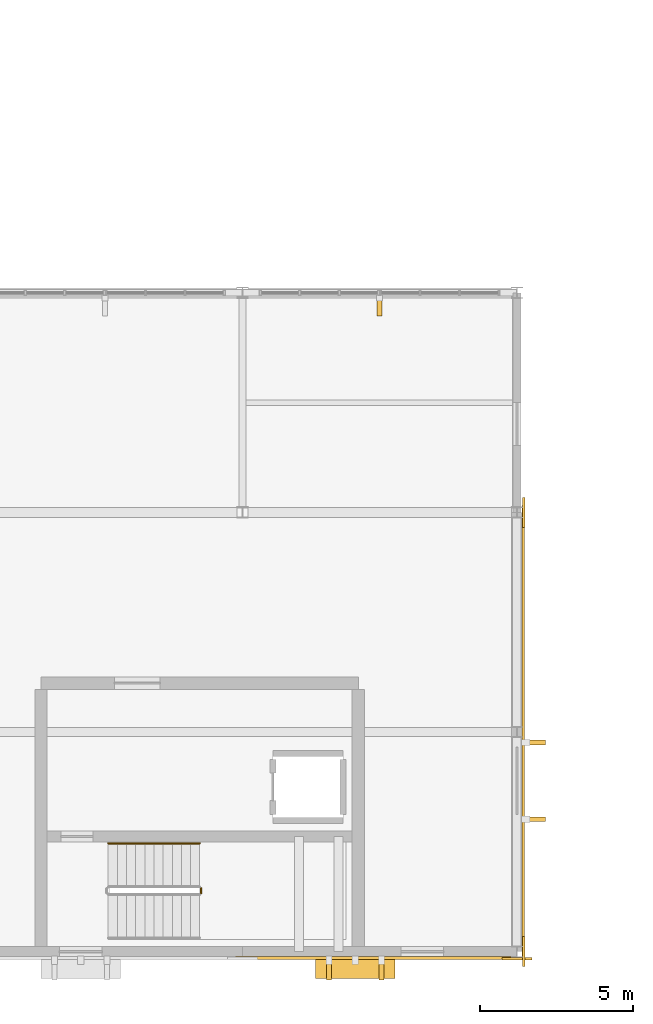
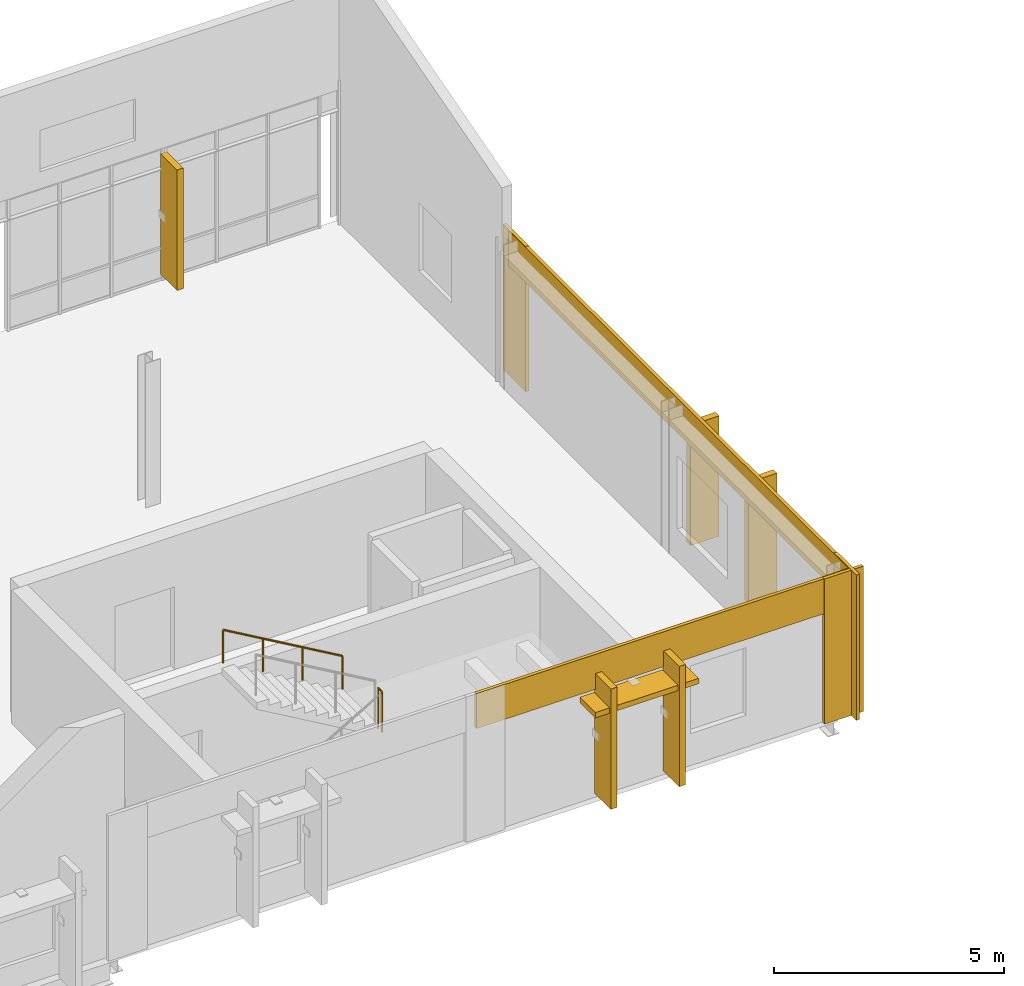
# One storey, part 77 of 85: 6 shading devices, 5 coverings, 2 railings.
"""IFC4 building model written with IfcOpenShell, lengths in metres."""

from ifc_helpers import new_model, si_unit, direction, frame, origin, origin_2d, place, context, subcontext, project, spatial, rectangle, circle, extrude, material, layer, layer_set, type_object, element, save


model = new_model("IFC4")

# Units and contexts
model_context = context("Model", 3, precision=1e-05, world=origin(), true_north=direction((0.0, 1.0)))
body_context = subcontext(model_context, "Body", "Model", "MODEL_VIEW")
ifc_project = project(units=[si_unit("LENGTHUNIT", "METRE"), si_unit("AREAUNIT", "SQUARE_METRE"), si_unit("VOLUMEUNIT", "CUBIC_METRE"), si_unit("PLANEANGLEUNIT", "RADIAN"), si_unit("MASSUNIT", "GRAM", prefix="KILO")], contexts=[model_context])

# Site, building, storey
site_placement = place(None, origin())
site = spatial("IfcSite", under=ifc_project, at=site_placement, CompositionType="ELEMENT")
building_placement = place(site_placement, origin())
building = spatial("IfcBuilding", under=site, at=building_placement, Name="Vervanel Yard Central Library", CompositionType="ELEMENT")
storey_placement = place(building_placement, frame((0.0, 0.0, 5.10009765625)))
storey = spatial("IfcBuildingStorey", under=building, at=storey_placement, Name="L01", CompositionType="ELEMENT", Elevation=5.10009765625)

# Railing
ifc_material_1 = material(Name="Brushed stainless steel AISI 316", Category="steel")
railing_type_1 = type_object("IfcRailingType", Name="Brushed Stainless Stair Handrail 900", PredefinedType="HANDRAIL", material=ifc_material_1)
railing_1_placement = place(storey_placement, frame((97.60009765625, 3.550048828125, 2.094482421875)))
element("IfcRailing", 1, at=railing_1_placement, inside=storey, type_object=railing_type_1, Name="L01 ST-06 stair handrail 2", PredefinedType="HANDRAIL", context=body_context, shape_type="SweptSolid", body=[
    extrude(circle(Radius=0.02392578125, at=origin_2d()), frame((0.0, 0.0, 0.8759765625), z_axis=(-0.864360011887, 0.0, 0.502873512775), x_axis=(0.0, -1.0, 0.0)), (0.0, 0.0, 1.0), 3.470703125),
    extrude(circle(Radius=0.02099609375, at=origin_2d()), origin(), (0.0, 0.0, 1.0), 0.851806640625),
    extrude(circle(Radius=0.02099609375, at=origin_2d()), frame((-1.0, 0.0, 0.581787109375)), (0.0, 0.0, 1.0), 0.851806640625),
    extrude(circle(Radius=0.02099609375, at=origin_2d()), frame((-2.0, 0.0, 1.16357421875)), (0.0, 0.0, 1.0), 0.851806640625),
    extrude(circle(Radius=0.02099609375, at=origin_2d()), frame((-3.0, 0.0, 1.745361328125)), (0.0, 0.0, 1.0), 0.851806640625),
])

# Coverings
ifc_material_2 = material(Name="Precast concrete C45/55", Category="concrete")
ifc_layer = layer(ifc_material_2, 0.0849609375, Category="concrete")
ifc_layer_set = layer_set([ifc_layer], Name="Precast concrete C45/55")
covering_type = type_object("IfcCoveringType", Name="Bush-Hammered Precast Architectural Cladding Panel", PredefinedType="CLADDING", material=ifc_layer_set)
covering_1_placement = place(storey_placement, frame((103.5, -0.2099609375, 2.93017578125), z_axis=(0.0, 0.0, 1.0), x_axis=(1.0, 0.0, 0.0)))
element("IfcCovering", 2, at=covering_1_placement, inside=storey, type_object=covering_type, Name="L01 Precast Concrete Spandrel Cornice EWALL-L01-0204", PredefinedType="CLADDING", context=body_context, shape_type="SweptSolid", body=[
    extrude(rectangle(XDim=9.449951171875, YDim=0.0849609375, at=origin_2d()), origin(), (0.0, 0.0, 1.0), 0.929931640625),
])
covering_2_placement = place(storey_placement, frame((108.0, -0.226806640625, 0.0), z_axis=(0.0, 0.0, 1.0), x_axis=(1.0, 0.0, 0.0)))
element("IfcCovering", 3, at=covering_2_placement, inside=storey, type_object=covering_type, Name="L01 Precast Concrete Pier Pilaster EWALL-L01-0204-B", PredefinedType="CLADDING", context=body_context, shape_type="SweptSolid", body=[
    extrude(rectangle(XDim=0.97998046875, YDim=0.0849609375, at=origin_2d()), origin(), (0.0, 0.0, 1.0), 3.860107421875),
])
covering_3_placement = place(storey_placement, frame((108.2099609375, 7.199951171875, 2.93017578125), z_axis=(0.0, 0.0, 1.0), x_axis=(0.0, 1.0, 0.0)))
element("IfcCovering", 4, at=covering_3_placement, inside=storey, type_object=covering_type, Name="L01 Precast Concrete Spandrel Cornice EWALL-L01-0207", PredefinedType="CLADDING", context=body_context, shape_type="SweptSolid", body=[
    extrude(rectangle(XDim=14.85009765625, YDim=0.0849609375, at=origin_2d()), origin(), (0.0, 0.0, 1.0), 0.929931640625),
])
for number, where, z_axis, x_axis, name in (
    (5, (108.226806640625, 0.0, 0.0), (0.0, 0.0, 1.0), (0.0, 1.0, 0.0), "L01 Precast Concrete Pier Pilaster EWALL-L01-0207-A"),
    (6, (108.226806640625, 14.39990234375, 0.0), (0.0, 0.0, 1.0), (0.0, 1.0, 0.0), "L01 Precast Concrete Pier Pilaster EWALL-L01-0207-B"),
):
    element("IfcCovering", number, at=place(storey_placement, frame(where, z_axis=z_axis, x_axis=x_axis)), inside=storey, type_object=covering_type, Name=name, PredefinedType="CLADDING", context=body_context, shape_type="SweptSolid", body=[
        extrude(rectangle(XDim=0.97998046875, YDim=0.0849609375, at=origin_2d()), origin(), (0.0, 0.0, 1.0), 3.860107421875),
    ])

# Shading device
shading_device_type_1 = type_object("IfcShadingDeviceType", Name="Horizontal Precast Brise-Soleil Sunhood 2600x680x140", PredefinedType="JALOUSIE", material=ifc_material_2)
shading_device_placement = place(storey_placement, frame((102.699951171875, -0.5400390625, 2.68017578125), z_axis=(0.0, 0.0, 1.0), x_axis=(1.0, 0.0, 0.0)))
element("IfcShadingDevice", 7, at=shading_device_placement, inside=storey, type_object=shading_device_type_1, Name="L01 Precast Horizontal Sunhood 118", PredefinedType="JALOUSIE", context=body_context, shape_type="SweptSolid", body=[
    extrude(rectangle(XDim=2.60009765625, YDim=0.679931640625, at=origin_2d()), origin(), (0.0, 0.0, 1.0), 0.139892578125),
])

# Railing
ifc_material_3 = material(Name="Galvanized painted steelwork ASTM A500 Grade C", Category="steel")
railing_type_2 = type_object("IfcRailingType", Name="Painted Steel Guardrail 1100", PredefinedType="GUARDRAIL", material=ifc_material_3)
railing_2_placement = place(storey_placement, frame((97.64990234375, 1.919921875, 1.919921875)))
element("IfcRailing", 8, at=railing_2_placement, inside=storey, type_object=railing_type_2, Name="L01 ST-06 stair guard 2", PredefinedType="GUARDRAIL", context=body_context, shape_type="SweptSolid", body=[
    extrude(circle(Radius=0.02392578125, at=origin_2d()), frame((0.0, 0.0, 1.076171875), z_axis=(0.0, 1.0, 0.0), x_axis=(-1.0, 0.0, 0.0)), (0.0, 0.0, 1.0), 0.16015625),
    extrude(circle(Radius=0.02099609375, at=origin_2d()), origin(), (0.0, 0.0, 1.0), 1.052001953125),
    extrude(circle(Radius=0.02099609375, at=origin_2d()), frame((0.0, 0.16015625, 0.0)), (0.0, 0.0, 1.0), 1.052001953125),
])

# Shading devices
shading_device_type_2 = type_object("IfcShadingDeviceType", Name="Vertical Precast Solar Fin 160x720x3200", PredefinedType="JALOUSIE", material=ifc_material_2)
for number, where, z_axis, x_axis, name in (
    (9, (101.840087890625, -0.570068359375, 0.14990234375), (0.0, 0.0, 1.0), (1.0, 0.0, 0.0), "L01 Precast Solar Fin 599"),
    (10, (103.56005859375, -0.570068359375, 0.14990234375), (0.0, 0.0, 1.0), (1.0, 0.0, 0.0), "L01 Precast Solar Fin 600"),
    (11, (103.5, 21.18994140625, 0.1650390625), (0.0, 0.0, 1.0), (1.0, 0.0, 0.0), "L01 Precast Solar Fin 605"),
    (12, (108.570068359375, 4.340087890625, 0.22509765625), (0.0, 0.0, 1.0), (0.0, 1.0, 0.0), "L01 Precast Solar Fin 608"),
    (13, (108.570068359375, 6.860107421875, 0.22509765625), (0.0, 0.0, 1.0), (0.0, 1.0, 0.0), "L01 Precast Solar Fin 609"),
):
    element("IfcShadingDevice", number, at=place(storey_placement, frame(where, z_axis=z_axis, x_axis=x_axis)), inside=storey, type_object=shading_device_type_2, Name=name, PredefinedType="JALOUSIE", context=body_context, shape_type="SweptSolid", body=[
        extrude(rectangle(XDim=0.159912109375, YDim=0.719970703125, at=origin_2d()), origin(), (0.0, 0.0, 1.0), 3.199951171875),
    ])

save(model, "model.ifc")
